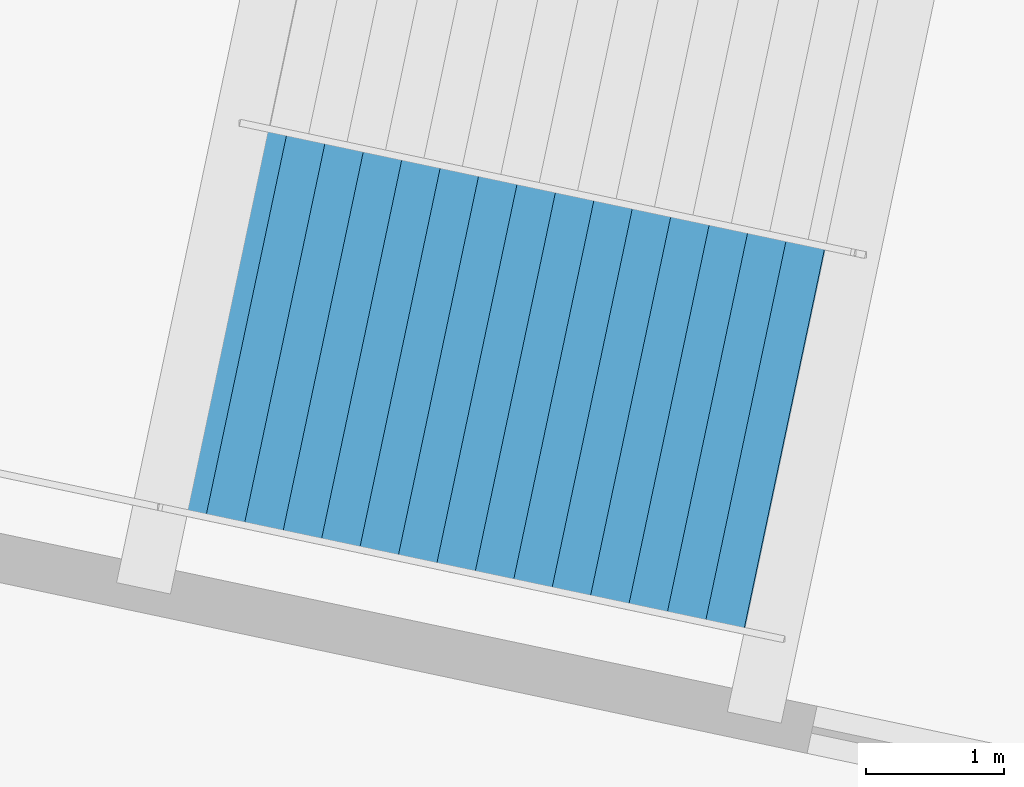
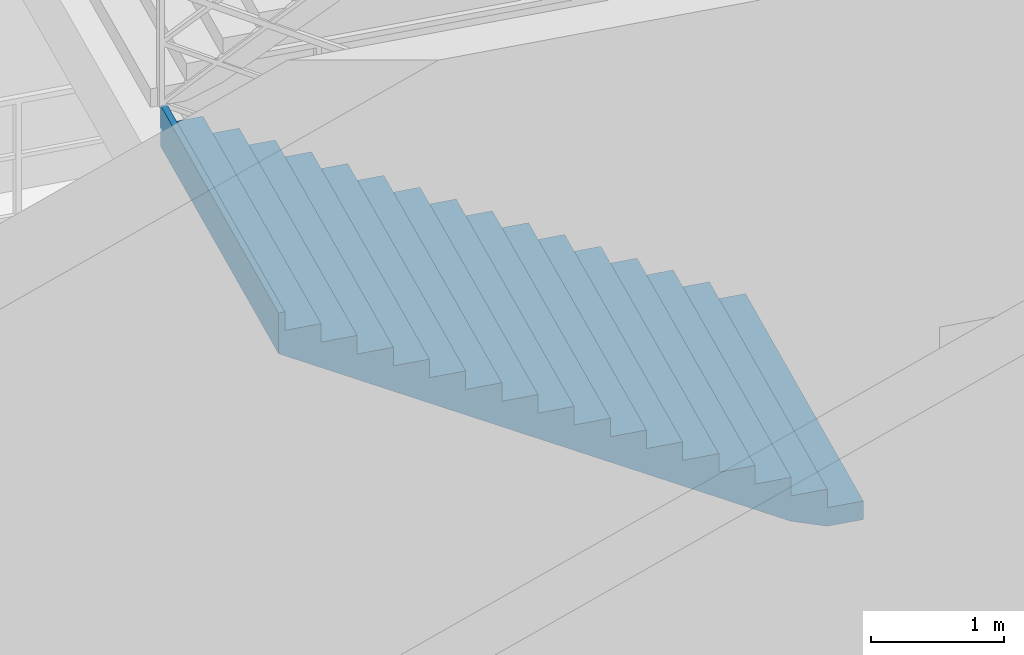
# One storey, part 41 of 48: 1 stair flight, 1 element without a shape of its own.
"""IFC4 building model written with IfcOpenShell, lengths in metres."""

from ifc_helpers import new_model, si_unit, direction, frame, origin, place, context, subcontext, project, spatial, polygons, material, type_object, element, aggregate, save


model = new_model("IFC4")

# Units and contexts
model_context = context("Model", 3, precision=1e-05, world=origin(), true_north=direction((0.0, 1.0)))
body_context = subcontext(model_context, "Body", "Model", "MODEL_VIEW")
ifc_project = project(units=[si_unit("LENGTHUNIT", "METRE"), si_unit("AREAUNIT", "SQUARE_METRE"), si_unit("VOLUMEUNIT", "CUBIC_METRE"), si_unit("PLANEANGLEUNIT", "RADIAN"), si_unit("MASSUNIT", "GRAM", prefix="KILO")], contexts=[model_context])

# Site, building, storey
site_placement = place(None, origin())
site = spatial("IfcSite", under=ifc_project, at=site_placement, CompositionType="ELEMENT")
building_placement = place(site_placement, origin())
building = spatial("IfcBuilding", under=site, at=building_placement, Name="Kazemori Nagisa Stadium", CompositionType="ELEMENT")
storey_placement = place(building_placement, origin())
storey = spatial("IfcBuildingStorey", under=building, at=storey_placement, Name="L00", CompositionType="ELEMENT", Elevation=0.0)

# Stair, stair flight
ifc_material = material(Name="Concrete C36/45 (Fc36)", Category="concrete")
stair_type = type_object("IfcStairType", Name="Stair_CORE_34", PredefinedType="TWO_STRAIGHT_RUN_STAIR", material=ifc_material)
stair_placement = place(storey_placement, origin())
stair = element("IfcStair", 1, at=stair_placement, inside=storey, type_object=stair_type, Name="Exit stair ST11 L00", PredefinedType="TWO_STRAIGHT_RUN_STAIR")
stair_flight_type = type_object("IfcStairFlightType", Name="Flight_CORE_17", PredefinedType="STRAIGHT", material=ifc_material)
stair_flight_placement = place(storey_placement, frame((158.251953125, 176.464111328125, 0.0), z_axis=(0.0, 0.0, 1.0), x_axis=(-0.978343656901, 0.206987171104, 0.0)))
stair_flight = element("IfcStairFlight", 2, at=stair_flight_placement, type_object=stair_flight_type, Name="Exit stair ST11 L00 flight 1", NumberOfRisers=17, NumberOfTreads=16, PredefinedType="STRAIGHT", RiserHeight=0.17, TreadLength=0.285, context=body_context, shape_type="Tessellation", body=[
    polygons([(0.0, -1.425048828125, 0.0), (0.0, -1.425048828125, 0.169921875), (0.284912109375, -1.425048828125, 0.169921875), (0.284912109375, -1.425048828125, 0.340087890625), (0.570068359375, -1.425048828125, 0.340087890625), (0.570068359375, -1.425048828125, 0.510009765625), (0.85498046875, -1.425048828125, 0.510009765625), (0.85498046875, -1.425048828125, 0.679931640625), (1.139892578125, -1.425048828125, 0.679931640625), (1.139892578125, -1.425048828125, 0.85009765625), (1.425048828125, -1.425048828125, 0.85009765625), (1.425048828125, -1.425048828125, 1.02001953125), (1.7099609375, -1.425048828125, 1.02001953125), (1.7099609375, -1.425048828125, 1.18994140625), (1.9951171875, -1.425048828125, 1.18994140625), (1.9951171875, -1.425048828125, 1.360107421875), (2.280029296875, -1.425048828125, 1.360107421875), (2.280029296875, -1.425048828125, 1.530029296875), (2.56494140625, -1.425048828125, 1.530029296875), (2.56494140625, -1.425048828125, 1.699951171875), (2.85009765625, -1.425048828125, 1.699951171875), (2.85009765625, -1.425048828125, 1.8701171875), (3.135009765625, -1.425048828125, 1.8701171875), (3.135009765625, -1.425048828125, 2.0400390625), (3.419921875, -1.425048828125, 2.0400390625), (3.419921875, -1.425048828125, 2.2099609375), (3.705078125, -1.425048828125, 2.2099609375), (3.705078125, -1.425048828125, 2.3798828125), (3.989990234375, -1.425048828125, 2.3798828125), (3.989990234375, -1.425048828125, 2.550048828125), (4.27490234375, -1.425048828125, 2.550048828125), (4.27490234375, -1.425048828125, 2.719970703125), (4.56005859375, -1.425048828125, 2.719970703125), (4.56005859375, -1.425048828125, 2.889892578125), (4.610107421875, -1.425048828125, 2.889892578125), (4.610107421875, -1.425048828125, 2.51708984375), (4.56005859375, -1.425048828125, 2.487060546875), (4.27490234375, -1.425048828125, 2.317138671875), (3.989990234375, -1.425048828125, 2.147216796875), (3.705078125, -1.425048828125, 1.977294921875), (3.419921875, -1.425048828125, 1.80712890625), (3.135009765625, -1.425048828125, 1.63720703125), (2.85009765625, -1.425048828125, 1.46728515625), (2.56494140625, -1.425048828125, 1.297119140625), (2.280029296875, -1.425048828125, 1.127197265625), (1.9951171875, -1.425048828125, 0.957275390625), (1.7099609375, -1.425048828125, 0.787109375), (1.425048828125, -1.425048828125, 0.6171875), (1.139892578125, -1.425048828125, 0.447265625), (0.85498046875, -1.425048828125, 0.277099609375), (0.570068359375, -1.425048828125, 0.107177734375), (0.284912109375, -1.425048828125, 0.0), (0.0, -0.08544921875, 0.0), (0.0, -0.08544921875, 0.169921875), (0.284912109375, -0.08544921875, 0.169921875), (0.284912109375, -0.08544921875, 0.340087890625), (0.570068359375, -0.08544921875, 0.340087890625), (0.570068359375, -0.08544921875, 0.510009765625), (0.85498046875, -0.08544921875, 0.510009765625), (0.85498046875, -0.08544921875, 0.679931640625), (1.139892578125, -0.08544921875, 0.679931640625), (1.139892578125, -0.08544921875, 0.85009765625), (1.425048828125, -0.08544921875, 0.85009765625), (1.425048828125, -0.08544921875, 1.02001953125), (1.7099609375, -0.08544921875, 1.02001953125), (1.7099609375, -0.08544921875, 1.18994140625), (1.9951171875, -0.08544921875, 1.18994140625), (1.9951171875, -0.08544921875, 1.360107421875), (2.280029296875, -0.08544921875, 1.360107421875), (2.280029296875, -0.08544921875, 1.530029296875), (2.56494140625, -0.08544921875, 1.530029296875), (2.56494140625, -0.08544921875, 1.699951171875), (2.85009765625, -0.08544921875, 1.699951171875), (2.85009765625, -0.08544921875, 1.8701171875), (3.135009765625, -0.08544921875, 1.8701171875), (3.135009765625, -0.08544921875, 2.0400390625), (3.419921875, -0.08544921875, 2.0400390625), (3.419921875, -0.08544921875, 2.2099609375), (3.705078125, -0.08544921875, 2.2099609375), (3.705078125, -0.08544921875, 2.3798828125), (3.989990234375, -0.08544921875, 2.3798828125), (3.989990234375, -0.08544921875, 2.550048828125), (4.27490234375, -0.08544921875, 2.550048828125), (4.27490234375, -0.08544921875, 2.719970703125), (4.56005859375, -0.08544921875, 2.719970703125), (4.56005859375, -0.08544921875, 2.889892578125), (4.610107421875, -0.08544921875, 2.889892578125), (4.610107421875, -0.08544921875, 2.51708984375), (4.56005859375, -0.08544921875, 2.487060546875), (4.27490234375, -0.08544921875, 2.317138671875), (3.989990234375, -0.08544921875, 2.147216796875), (3.705078125, -0.08544921875, 1.977294921875), (3.419921875, -0.08544921875, 1.80712890625), (3.135009765625, -0.08544921875, 1.63720703125), (2.85009765625, -0.08544921875, 1.46728515625), (2.56494140625, -0.08544921875, 1.297119140625), (2.280029296875, -0.08544921875, 1.127197265625), (1.9951171875, -0.08544921875, 0.957275390625), (1.7099609375, -0.08544921875, 0.787109375), (1.425048828125, -0.08544921875, 0.6171875), (1.139892578125, -0.08544921875, 0.447265625), (0.85498046875, -0.08544921875, 0.277099609375), (0.570068359375, -0.08544921875, 0.107177734375), (0.284912109375, -0.08544921875, 0.0), (0.0, 0.0, 0.0), (0.0, 0.0, 0.169921875), (0.284912109375, 0.0, 0.169921875), (0.284912109375, 0.0, 0.340087890625), (0.570068359375, 0.0, 0.340087890625), (0.570068359375, 0.0, 0.510009765625), (0.85498046875, 0.0, 0.510009765625), (0.85498046875, 0.0, 0.679931640625), (1.139892578125, 0.0, 0.679931640625), (1.139892578125, 0.0, 0.85009765625), (1.425048828125, 0.0, 0.85009765625), (1.425048828125, 0.0, 1.02001953125), (1.7099609375, 0.0, 1.02001953125), (1.7099609375, 0.0, 1.18994140625), (1.9951171875, 0.0, 1.18994140625), (1.9951171875, 0.0, 1.360107421875), (2.280029296875, 0.0, 1.360107421875), (2.280029296875, 0.0, 1.530029296875), (2.56494140625, 0.0, 1.530029296875), (2.56494140625, 0.0, 1.699951171875), (2.85009765625, 0.0, 1.699951171875), (2.85009765625, 0.0, 1.8701171875), (3.135009765625, 0.0, 1.8701171875), (3.135009765625, 0.0, 2.0400390625), (3.419921875, 0.0, 2.0400390625), (3.419921875, 0.0, 2.2099609375), (3.705078125, 0.0, 2.2099609375), (3.705078125, 0.0, 2.3798828125), (3.989990234375, 0.0, 2.3798828125), (3.989990234375, 0.0, 2.550048828125), (4.27490234375, 0.0, 2.550048828125), (4.27490234375, 0.0, 2.719970703125), (4.56005859375, 0.0, 2.719970703125), (4.56005859375, 0.0, 2.889892578125), (4.610107421875, 0.0, 2.889892578125), (4.610107421875, 0.0, 2.51708984375), (4.56005859375, 0.0, 2.487060546875), (4.27490234375, 0.0, 2.317138671875), (3.989990234375, 0.0, 2.147216796875), (3.705078125, 0.0, 1.977294921875), (3.419921875, 0.0, 1.80712890625), (3.135009765625, 0.0, 1.63720703125), (2.85009765625, 0.0, 1.46728515625), (2.56494140625, 0.0, 1.297119140625), (2.280029296875, 0.0, 1.127197265625), (1.9951171875, 0.0, 0.957275390625), (1.7099609375, 0.0, 0.787109375), (1.425048828125, 0.0, 0.6171875), (1.139892578125, 0.0, 0.447265625), (0.85498046875, 0.0, 0.277099609375), (0.570068359375, 0.0, 0.107177734375), (0.284912109375, 0.0, 0.0), (0.0, 0.08544921875, 0.0), (0.0, 0.08544921875, 0.169921875), (0.284912109375, 0.08544921875, 0.169921875), (0.284912109375, 0.08544921875, 0.340087890625), (0.570068359375, 0.08544921875, 0.340087890625), (0.570068359375, 0.08544921875, 0.510009765625), (0.85498046875, 0.08544921875, 0.510009765625), (0.85498046875, 0.08544921875, 0.679931640625), (1.139892578125, 0.08544921875, 0.679931640625), (1.139892578125, 0.08544921875, 0.85009765625), (1.425048828125, 0.08544921875, 0.85009765625), (1.425048828125, 0.08544921875, 1.02001953125), (1.7099609375, 0.08544921875, 1.02001953125), (1.7099609375, 0.08544921875, 1.18994140625), (1.9951171875, 0.08544921875, 1.18994140625), (1.9951171875, 0.08544921875, 1.360107421875), (2.280029296875, 0.08544921875, 1.360107421875), (2.280029296875, 0.08544921875, 1.530029296875), (2.56494140625, 0.08544921875, 1.530029296875), (2.56494140625, 0.08544921875, 1.699951171875), (2.85009765625, 0.08544921875, 1.699951171875), (2.85009765625, 0.08544921875, 1.8701171875), (3.135009765625, 0.08544921875, 1.8701171875), (3.135009765625, 0.08544921875, 2.0400390625), (3.419921875, 0.08544921875, 2.0400390625), (3.419921875, 0.08544921875, 2.2099609375), (3.705078125, 0.08544921875, 2.2099609375), (3.705078125, 0.08544921875, 2.3798828125), (3.989990234375, 0.08544921875, 2.3798828125), (3.989990234375, 0.08544921875, 2.550048828125), (4.27490234375, 0.08544921875, 2.550048828125), (4.27490234375, 0.08544921875, 2.719970703125), (4.56005859375, 0.08544921875, 2.719970703125), (4.56005859375, 0.08544921875, 2.889892578125), (4.610107421875, 0.08544921875, 2.889892578125), (4.610107421875, 0.08544921875, 2.51708984375), (4.56005859375, 0.08544921875, 2.487060546875), (4.27490234375, 0.08544921875, 2.317138671875), (3.989990234375, 0.08544921875, 2.147216796875), (3.705078125, 0.08544921875, 1.977294921875), (3.419921875, 0.08544921875, 1.80712890625), (3.135009765625, 0.08544921875, 1.63720703125), (2.85009765625, 0.08544921875, 1.46728515625), (2.56494140625, 0.08544921875, 1.297119140625), (2.280029296875, 0.08544921875, 1.127197265625), (1.9951171875, 0.08544921875, 0.957275390625), (1.7099609375, 0.08544921875, 0.787109375), (1.425048828125, 0.08544921875, 0.6171875), (1.139892578125, 0.08544921875, 0.447265625), (0.85498046875, 0.08544921875, 0.277099609375), (0.570068359375, 0.08544921875, 0.107177734375), (0.284912109375, 0.08544921875, 0.0), (0.0, 1.425048828125, 0.0), (0.0, 1.425048828125, 0.169921875), (0.284912109375, 1.425048828125, 0.169921875), (0.284912109375, 1.425048828125, 0.340087890625), (0.570068359375, 1.425048828125, 0.340087890625), (0.570068359375, 1.425048828125, 0.510009765625), (0.85498046875, 1.425048828125, 0.510009765625), (0.85498046875, 1.425048828125, 0.679931640625), (1.139892578125, 1.425048828125, 0.679931640625), (1.139892578125, 1.425048828125, 0.85009765625), (1.425048828125, 1.425048828125, 0.85009765625), (1.425048828125, 1.425048828125, 1.02001953125), (1.7099609375, 1.425048828125, 1.02001953125), (1.7099609375, 1.425048828125, 1.18994140625), (1.9951171875, 1.425048828125, 1.18994140625), (1.9951171875, 1.425048828125, 1.360107421875), (2.280029296875, 1.425048828125, 1.360107421875), (2.280029296875, 1.425048828125, 1.530029296875), (2.56494140625, 1.425048828125, 1.530029296875), (2.56494140625, 1.425048828125, 1.699951171875), (2.85009765625, 1.425048828125, 1.699951171875), (2.85009765625, 1.425048828125, 1.8701171875), (3.135009765625, 1.425048828125, 1.8701171875), (3.135009765625, 1.425048828125, 2.0400390625), (3.419921875, 1.425048828125, 2.0400390625), (3.419921875, 1.425048828125, 2.2099609375), (3.705078125, 1.425048828125, 2.2099609375), (3.705078125, 1.425048828125, 2.3798828125), (3.989990234375, 1.425048828125, 2.3798828125), (3.989990234375, 1.425048828125, 2.550048828125), (4.27490234375, 1.425048828125, 2.550048828125), (4.27490234375, 1.425048828125, 2.719970703125), (4.56005859375, 1.425048828125, 2.719970703125), (4.56005859375, 1.425048828125, 2.889892578125), (4.610107421875, 1.425048828125, 2.889892578125), (4.610107421875, 1.425048828125, 2.51708984375), (4.56005859375, 1.425048828125, 2.487060546875), (4.27490234375, 1.425048828125, 2.317138671875), (3.989990234375, 1.425048828125, 2.147216796875), (3.705078125, 1.425048828125, 1.977294921875), (3.419921875, 1.425048828125, 1.80712890625), (3.135009765625, 1.425048828125, 1.63720703125), (2.85009765625, 1.425048828125, 1.46728515625), (2.56494140625, 1.425048828125, 1.297119140625), (2.280029296875, 1.425048828125, 1.127197265625), (1.9951171875, 1.425048828125, 0.957275390625), (1.7099609375, 1.425048828125, 0.787109375), (1.425048828125, 1.425048828125, 0.6171875), (1.139892578125, 1.425048828125, 0.447265625), (0.85498046875, 1.425048828125, 0.277099609375), (0.570068359375, 1.425048828125, 0.107177734375), (0.284912109375, 1.425048828125, 0.0)], [[[1, 2, 54]], [[1, 54, 53]], [[2, 3, 55]], [[2, 55, 54]], [[3, 4, 56]], [[3, 56, 55]], [[4, 5, 57]], [[4, 57, 56]], [[5, 6, 58]], [[5, 58, 57]], [[6, 7, 59]], [[6, 59, 58]], [[7, 8, 60]], [[7, 60, 59]], [[8, 9, 61]], [[8, 61, 60]], [[9, 10, 62]], [[9, 62, 61]], [[10, 11, 63]], [[10, 63, 62]], [[11, 12, 64]], [[11, 64, 63]], [[12, 13, 65]], [[12, 65, 64]], [[13, 14, 66]], [[13, 66, 65]], [[14, 15, 67]], [[14, 67, 66]], [[15, 16, 68]], [[15, 68, 67]], [[16, 17, 69]], [[16, 69, 68]], [[17, 18, 70]], [[17, 70, 69]], [[18, 19, 71]], [[18, 71, 70]], [[19, 20, 72]], [[19, 72, 71]], [[20, 21, 73]], [[20, 73, 72]], [[21, 22, 74]], [[21, 74, 73]], [[22, 23, 75]], [[22, 75, 74]], [[23, 24, 76]], [[23, 76, 75]], [[24, 25, 77]], [[24, 77, 76]], [[25, 26, 78]], [[25, 78, 77]], [[26, 27, 79]], [[26, 79, 78]], [[27, 28, 80]], [[27, 80, 79]], [[28, 29, 81]], [[28, 81, 80]], [[29, 30, 82]], [[29, 82, 81]], [[30, 31, 83]], [[30, 83, 82]], [[31, 32, 84]], [[31, 84, 83]], [[32, 33, 85]], [[32, 85, 84]], [[33, 34, 86]], [[33, 86, 85]], [[34, 35, 87]], [[34, 87, 86]], [[35, 36, 88]], [[35, 88, 87]], [[36, 37, 89]], [[36, 89, 88]], [[37, 38, 90]], [[37, 90, 89]], [[38, 39, 91]], [[38, 91, 90]], [[39, 40, 92]], [[39, 92, 91]], [[40, 41, 93]], [[40, 93, 92]], [[41, 42, 94]], [[41, 94, 93]], [[42, 43, 95]], [[42, 95, 94]], [[43, 44, 96]], [[43, 96, 95]], [[44, 45, 97]], [[44, 97, 96]], [[45, 46, 98]], [[45, 98, 97]], [[46, 47, 99]], [[46, 99, 98]], [[47, 48, 100]], [[47, 100, 99]], [[48, 49, 101]], [[48, 101, 100]], [[49, 50, 102]], [[49, 102, 101]], [[50, 51, 103]], [[50, 103, 102]], [[51, 52, 104]], [[51, 104, 103]], [[52, 1, 53]], [[52, 53, 104]], [[53, 54, 106]], [[53, 106, 105]], [[54, 55, 107]], [[54, 107, 106]], [[55, 56, 108]], [[55, 108, 107]], [[56, 57, 109]], [[56, 109, 108]], [[57, 58, 110]], [[57, 110, 109]], [[58, 59, 111]], [[58, 111, 110]], [[59, 60, 112]], [[59, 112, 111]], [[60, 61, 113]], [[60, 113, 112]], [[61, 62, 114]], [[61, 114, 113]], [[62, 63, 115]], [[62, 115, 114]], [[63, 64, 116]], [[63, 116, 115]], [[64, 65, 117]], [[64, 117, 116]], [[65, 66, 118]], [[65, 118, 117]], [[66, 67, 119]], [[66, 119, 118]], [[67, 68, 120]], [[67, 120, 119]], [[68, 69, 121]], [[68, 121, 120]], [[69, 70, 122]], [[69, 122, 121]], [[70, 71, 123]], [[70, 123, 122]], [[71, 72, 124]], [[71, 124, 123]], [[72, 73, 125]], [[72, 125, 124]], [[73, 74, 126]], [[73, 126, 125]], [[74, 75, 127]], [[74, 127, 126]], [[75, 76, 128]], [[75, 128, 127]], [[76, 77, 129]], [[76, 129, 128]], [[77, 78, 130]], [[77, 130, 129]], [[78, 79, 131]], [[78, 131, 130]], [[79, 80, 132]], [[79, 132, 131]], [[80, 81, 133]], [[80, 133, 132]], [[81, 82, 134]], [[81, 134, 133]], [[82, 83, 135]], [[82, 135, 134]], [[83, 84, 136]], [[83, 136, 135]], [[84, 85, 137]], [[84, 137, 136]], [[85, 86, 138]], [[85, 138, 137]], [[86, 87, 139]], [[86, 139, 138]], [[87, 88, 140]], [[87, 140, 139]], [[88, 89, 141]], [[88, 141, 140]], [[89, 90, 142]], [[89, 142, 141]], [[90, 91, 143]], [[90, 143, 142]], [[91, 92, 144]], [[91, 144, 143]], [[92, 93, 145]], [[92, 145, 144]], [[93, 94, 146]], [[93, 146, 145]], [[94, 95, 147]], [[94, 147, 146]], [[95, 96, 148]], [[95, 148, 147]], [[96, 97, 149]], [[96, 149, 148]], [[97, 98, 150]], [[97, 150, 149]], [[98, 99, 151]], [[98, 151, 150]], [[99, 100, 152]], [[99, 152, 151]], [[100, 101, 153]], [[100, 153, 152]], [[101, 102, 154]], [[101, 154, 153]], [[102, 103, 155]], [[102, 155, 154]], [[103, 104, 156]], [[103, 156, 155]], [[104, 53, 105]], [[104, 105, 156]], [[105, 106, 158]], [[105, 158, 157]], [[106, 107, 159]], [[106, 159, 158]], [[107, 108, 160]], [[107, 160, 159]], [[108, 109, 161]], [[108, 161, 160]], [[109, 110, 162]], [[109, 162, 161]], [[110, 111, 163]], [[110, 163, 162]], [[111, 112, 164]], [[111, 164, 163]], [[112, 113, 165]], [[112, 165, 164]], [[113, 114, 166]], [[113, 166, 165]], [[114, 115, 167]], [[114, 167, 166]], [[115, 116, 168]], [[115, 168, 167]], [[116, 117, 169]], [[116, 169, 168]], [[117, 118, 170]], [[117, 170, 169]], [[118, 119, 171]], [[118, 171, 170]], [[119, 120, 172]], [[119, 172, 171]], [[120, 121, 173]], [[120, 173, 172]], [[121, 122, 174]], [[121, 174, 173]], [[122, 123, 175]], [[122, 175, 174]], [[123, 124, 176]], [[123, 176, 175]], [[124, 125, 177]], [[124, 177, 176]], [[125, 126, 178]], [[125, 178, 177]], [[126, 127, 179]], [[126, 179, 178]], [[127, 128, 180]], [[127, 180, 179]], [[128, 129, 181]], [[128, 181, 180]], [[129, 130, 182]], [[129, 182, 181]], [[130, 131, 183]], [[130, 183, 182]], [[131, 132, 184]], [[131, 184, 183]], [[132, 133, 185]], [[132, 185, 184]], [[133, 134, 186]], [[133, 186, 185]], [[134, 135, 187]], [[134, 187, 186]], [[135, 136, 188]], [[135, 188, 187]], [[136, 137, 189]], [[136, 189, 188]], [[137, 138, 190]], [[137, 190, 189]], [[138, 139, 191]], [[138, 191, 190]], [[139, 140, 192]], [[139, 192, 191]], [[140, 141, 193]], [[140, 193, 192]], [[141, 142, 194]], [[141, 194, 193]], [[142, 143, 195]], [[142, 195, 194]], [[143, 144, 196]], [[143, 196, 195]], [[144, 145, 197]], [[144, 197, 196]], [[145, 146, 198]], [[145, 198, 197]], [[146, 147, 199]], [[146, 199, 198]], [[147, 148, 200]], [[147, 200, 199]], [[148, 149, 201]], [[148, 201, 200]], [[149, 150, 202]], [[149, 202, 201]], [[150, 151, 203]], [[150, 203, 202]], [[151, 152, 204]], [[151, 204, 203]], [[152, 153, 205]], [[152, 205, 204]], [[153, 154, 206]], [[153, 206, 205]], [[154, 155, 207]], [[154, 207, 206]], [[155, 156, 208]], [[155, 208, 207]], [[156, 105, 157]], [[156, 157, 208]], [[157, 158, 210]], [[157, 210, 209]], [[158, 159, 211]], [[158, 211, 210]], [[159, 160, 212]], [[159, 212, 211]], [[160, 161, 213]], [[160, 213, 212]], [[161, 162, 214]], [[161, 214, 213]], [[162, 163, 215]], [[162, 215, 214]], [[163, 164, 216]], [[163, 216, 215]], [[164, 165, 217]], [[164, 217, 216]], [[165, 166, 218]], [[165, 218, 217]], [[166, 167, 219]], [[166, 219, 218]], [[167, 168, 220]], [[167, 220, 219]], [[168, 169, 221]], [[168, 221, 220]], [[169, 170, 222]], [[169, 222, 221]], [[170, 171, 223]], [[170, 223, 222]], [[171, 172, 224]], [[171, 224, 223]], [[172, 173, 225]], [[172, 225, 224]], [[173, 174, 226]], [[173, 226, 225]], [[174, 175, 227]], [[174, 227, 226]], [[175, 176, 228]], [[175, 228, 227]], [[176, 177, 229]], [[176, 229, 228]], [[177, 178, 230]], [[177, 230, 229]], [[178, 179, 231]], [[178, 231, 230]], [[179, 180, 232]], [[179, 232, 231]], [[180, 181, 233]], [[180, 233, 232]], [[181, 182, 234]], [[181, 234, 233]], [[182, 183, 235]], [[182, 235, 234]], [[183, 184, 236]], [[183, 236, 235]], [[184, 185, 237]], [[184, 237, 236]], [[185, 186, 238]], [[185, 238, 237]], [[186, 187, 239]], [[186, 239, 238]], [[187, 188, 240]], [[187, 240, 239]], [[188, 189, 241]], [[188, 241, 240]], [[189, 190, 242]], [[189, 242, 241]], [[190, 191, 243]], [[190, 243, 242]], [[191, 192, 244]], [[191, 244, 243]], [[192, 193, 245]], [[192, 245, 244]], [[193, 194, 246]], [[193, 246, 245]], [[194, 195, 247]], [[194, 247, 246]], [[195, 196, 248]], [[195, 248, 247]], [[196, 197, 249]], [[196, 249, 248]], [[197, 198, 250]], [[197, 250, 249]], [[198, 199, 251]], [[198, 251, 250]], [[199, 200, 252]], [[199, 252, 251]], [[200, 201, 253]], [[200, 253, 252]], [[201, 202, 254]], [[201, 254, 253]], [[202, 203, 255]], [[202, 255, 254]], [[203, 204, 256]], [[203, 256, 255]], [[204, 205, 257]], [[204, 257, 256]], [[205, 206, 258]], [[205, 258, 257]], [[206, 207, 259]], [[206, 259, 258]], [[207, 208, 260]], [[207, 260, 259]], [[208, 157, 209]], [[208, 209, 260]], [[3, 2, 1]], [[209, 210, 211]], [[52, 3, 1]], [[209, 211, 260]], [[51, 3, 52]], [[260, 211, 259]], [[5, 3, 51]], [[259, 211, 213]], [[5, 4, 3]], [[211, 212, 213]], [[50, 5, 51]], [[259, 213, 258]], [[7, 5, 50]], [[258, 213, 215]], [[7, 6, 5]], [[213, 214, 215]], [[49, 7, 50]], [[258, 215, 257]], [[9, 7, 49]], [[257, 215, 217]], [[9, 8, 7]], [[215, 216, 217]], [[48, 9, 49]], [[257, 217, 256]], [[11, 9, 48]], [[256, 217, 219]], [[11, 10, 9]], [[217, 218, 219]], [[47, 11, 48]], [[256, 219, 255]], [[13, 11, 47]], [[255, 219, 221]], [[13, 12, 11]], [[219, 220, 221]], [[46, 13, 47]], [[255, 221, 254]], [[15, 13, 46]], [[254, 221, 223]], [[15, 14, 13]], [[221, 222, 223]], [[45, 15, 46]], [[254, 223, 253]], [[17, 15, 45]], [[253, 223, 225]], [[17, 16, 15]], [[223, 224, 225]], [[44, 17, 45]], [[253, 225, 252]], [[19, 17, 44]], [[252, 225, 227]], [[19, 18, 17]], [[225, 226, 227]], [[43, 19, 44]], [[252, 227, 251]], [[21, 19, 43]], [[251, 227, 229]], [[21, 20, 19]], [[227, 228, 229]], [[42, 21, 43]], [[251, 229, 250]], [[23, 21, 42]], [[250, 229, 231]], [[23, 22, 21]], [[229, 230, 231]], [[41, 23, 42]], [[250, 231, 249]], [[25, 23, 41]], [[249, 231, 233]], [[25, 24, 23]], [[231, 232, 233]], [[40, 25, 41]], [[249, 233, 248]], [[27, 25, 40]], [[248, 233, 235]], [[27, 26, 25]], [[233, 234, 235]], [[39, 27, 40]], [[248, 235, 247]], [[29, 27, 39]], [[247, 235, 237]], [[29, 28, 27]], [[235, 236, 237]], [[38, 29, 39]], [[247, 237, 246]], [[31, 29, 38]], [[246, 237, 239]], [[31, 30, 29]], [[237, 238, 239]], [[37, 31, 38]], [[246, 239, 245]], [[33, 31, 37]], [[245, 239, 241]], [[33, 32, 31]], [[239, 240, 241]], [[36, 33, 37]], [[245, 241, 244]], [[35, 33, 36]], [[244, 241, 243]], [[35, 34, 33]], [[241, 242, 243]]], closed=True),
])
aggregate(stair, [stair_flight])

save(model, "model.ifc")
